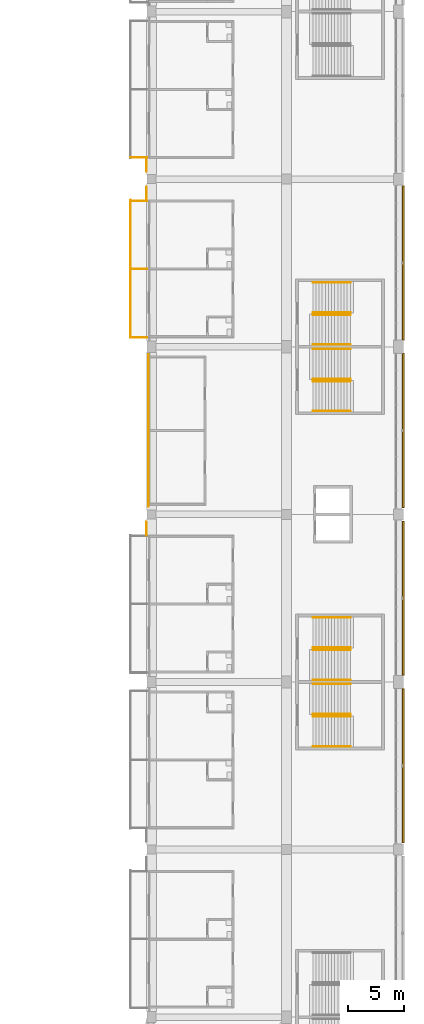
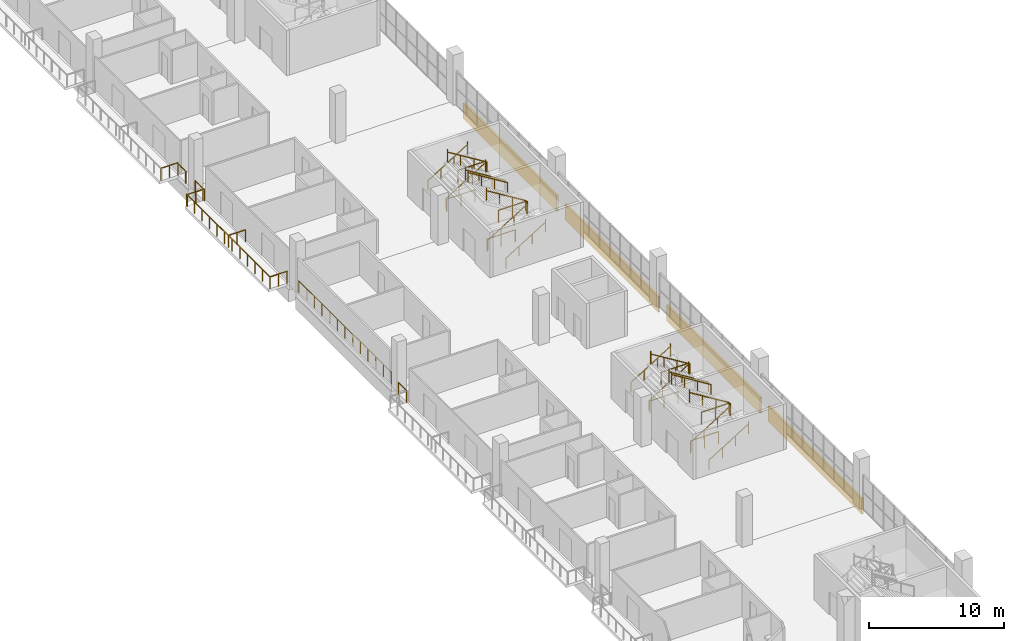
# One storey, part 188 of 199: 33 railings, 4 coverings.
"""IFC4 building model written with IfcOpenShell, lengths in metres."""

from ifc_helpers import new_model, si_unit, direction, frame, origin, origin_2d, place, context, subcontext, project, spatial, polyline, circle, outline, extrude, material, layer, layer_set, type_object, element, save


model = new_model("IFC4")

# Units and contexts
model_context = context("Model", 3, precision=1e-05, world=origin(), true_north=direction((0.0, 1.0)))
body_context = subcontext(model_context, "Body", "Model", "MODEL_VIEW")
ifc_project = project(units=[si_unit("LENGTHUNIT", "METRE"), si_unit("AREAUNIT", "SQUARE_METRE"), si_unit("VOLUMEUNIT", "CUBIC_METRE"), si_unit("PLANEANGLEUNIT", "RADIAN"), si_unit("MASSUNIT", "GRAM", prefix="KILO")], contexts=[model_context])

# Site, building, storey
site_placement = place(None, origin())
site = spatial("IfcSite", under=ifc_project, at=site_placement, CompositionType="ELEMENT")
building_placement = place(site_placement, origin())
building = spatial("IfcBuilding", under=site, at=building_placement, Name="Ogive Plaza Stadium", CompositionType="ELEMENT")
storey_placement = place(building_placement, frame((0.0, 0.0, 9.0)))
storey = spatial("IfcBuildingStorey", under=building, at=storey_placement, Name="L02", CompositionType="ELEMENT", Elevation=9.0)

# Railings
ifc_material_1 = material(Name="Steel ASTM A572 Grade 50", Category="steel")
railing_type_1 = type_object("IfcRailingType", Name="Guard 1100", PredefinedType="GUARDRAIL", material=ifc_material_1)
for number, where, name in (
    (1, (76.35009765625, 4.52490234375, 0.0), "Stair well guard ST04A L02"),
    (2, (77.31005859375, 4.52490234375, 2.25), "Stair well guard ST04A L02"),
    (3, (76.35009765625, 10.47509765625, 0.0), "Stair well guard ST04B L02"),
    (4, (77.31005859375, 10.47509765625, 2.25), "Stair well guard ST04B L02"),
    (5, (76.35009765625, -25.47509765625, 0.0), "Stair well guard ST06A L02"),
    (6, (77.31005859375, -25.47509765625, 2.25), "Stair well guard ST06A L02"),
    (7, (76.35009765625, -19.52490234375, 0.0), "Stair well guard ST06B L02"),
    (8, (77.31005859375, -19.52490234375, 2.25), "Stair well guard ST06B L02"),
):
    element("IfcRailing", number, at=place(storey_placement, frame(where)), inside=storey, type_object=railing_type_1, Name=name, PredefinedType="GUARDRAIL", context=body_context, shape_type="SweptSolid", body=[
        extrude(circle(Radius=0.02392578125, at=origin_2d()), frame((0.0, 0.0, 1.076171875), z_axis=(1.0, 0.0, 0.0), x_axis=(0.0, 1.0, 0.0)), (0.0, 0.0, 1.0), 2.39990234375),
        extrude(circle(Radius=0.02099609375, at=origin_2d()), origin(), (0.0, 0.0, 1.0), 1.052001953125),
        extrude(circle(Radius=0.02099609375, at=origin_2d()), frame((1.199951171875, 0.0, 0.0)), (0.0, 0.0, 1.0), 1.052001953125),
        extrude(circle(Radius=0.02099609375, at=origin_2d()), frame((2.39990234375, 0.0, 0.0)), (0.0, 0.0, 1.0), 1.052001953125),
    ])
railing_1_placement = place(storey_placement, frame((61.64990234375, 6.800048828125, 0.0)))
element("IfcRailing", 9, at=railing_1_placement, inside=storey, type_object=railing_type_1, Name="Guard L02 B04", PredefinedType="GUARDRAIL", context=body_context, shape_type="SweptSolid", body=[
    extrude(circle(Radius=0.02392578125, at=origin_2d()), frame((0.0, 0.0, 1.076171875), z_axis=(0.0, -1.0, 0.0), x_axis=(1.0, 0.0, 0.0)), (0.0, 0.0, 1.0), 13.60009765625),
    extrude(circle(Radius=0.02099609375, at=origin_2d()), origin(), (0.0, 0.0, 1.0), 1.052001953125),
    extrude(circle(Radius=0.02099609375, at=origin_2d()), frame((0.0, -1.13330078125, 0.0)), (0.0, 0.0, 1.0), 1.052001953125),
    extrude(circle(Radius=0.02099609375, at=origin_2d()), frame((0.0, -2.2666015625, 0.0)), (0.0, 0.0, 1.0), 1.052001953125),
    extrude(circle(Radius=0.02099609375, at=origin_2d()), frame((0.0, -3.39990234375, 0.0)), (0.0, 0.0, 1.0), 1.052001953125),
    extrude(circle(Radius=0.02099609375, at=origin_2d()), frame((0.0, -4.533447265625, 0.0)), (0.0, 0.0, 1.0), 1.052001953125),
    extrude(circle(Radius=0.02099609375, at=origin_2d()), frame((0.0, -5.666748046875, 0.0)), (0.0, 0.0, 1.0), 1.052001953125),
    extrude(circle(Radius=0.02099609375, at=origin_2d()), frame((0.0, -6.800048828125, 0.0)), (0.0, 0.0, 1.0), 1.052001953125),
    extrude(circle(Radius=0.02099609375, at=origin_2d()), frame((0.0, -7.933349609375, 0.0)), (0.0, 0.0, 1.0), 1.052001953125),
    extrude(circle(Radius=0.02099609375, at=origin_2d()), frame((0.0, -9.066650390625, 0.0)), (0.0, 0.0, 1.0), 1.052001953125),
    extrude(circle(Radius=0.02099609375, at=origin_2d()), frame((0.0, -10.2001953125, 0.0)), (0.0, 0.0, 1.0), 1.052001953125),
    extrude(circle(Radius=0.02099609375, at=origin_2d()), frame((0.0, -11.33349609375, 0.0)), (0.0, 0.0, 1.0), 1.052001953125),
    extrude(circle(Radius=0.02099609375, at=origin_2d()), frame((0.0, -12.466796875, 0.0)), (0.0, 0.0, 1.0), 1.052001953125),
    extrude(circle(Radius=0.02099609375, at=origin_2d()), frame((0.0, -13.60009765625, 0.0)), (0.0, 0.0, 1.0), 1.052001953125),
])
railing_2_placement = place(storey_placement, frame((61.449951171875, 24.375, 0.0)))
element("IfcRailing", 10, at=railing_2_placement, inside=storey, type_object=railing_type_1, Name="Floor edge guard B02", PredefinedType="GUARDRAIL", context=body_context, shape_type="SweptSolid", body=[
    extrude(circle(Radius=0.02392578125, at=origin_2d()), frame((0.0, 0.0, 1.076171875), z_axis=(0.0, -1.0, 0.0), x_axis=(1.0, 0.0, 0.0)), (0.0, 0.0, 1.0), 1.175048828125),
    extrude(circle(Radius=0.02099609375, at=origin_2d()), origin(), (0.0, 0.0, 1.0), 1.052001953125),
    extrude(circle(Radius=0.02099609375, at=origin_2d()), frame((0.0, -1.175048828125, 0.0)), (0.0, 0.0, 1.0), 1.052001953125),
])
railing_3_placement = place(storey_placement, frame((60.050048828125, 24.449951171875, 0.0)))
element("IfcRailing", 11, at=railing_3_placement, inside=storey, type_object=railing_type_1, Name="Terrace screen B02", PredefinedType="GUARDRAIL", context=body_context, shape_type="SweptSolid", body=[
    extrude(circle(Radius=0.02392578125, at=origin_2d()), frame((0.0, 0.0, 1.076171875), z_axis=(1.0, 0.0, 0.0), x_axis=(0.0, 1.0, 0.0)), (0.0, 0.0, 1.0), 1.449951171875),
    extrude(circle(Radius=0.02099609375, at=origin_2d()), origin(), (0.0, 0.0, 1.0), 1.052001953125),
    extrude(circle(Radius=0.02099609375, at=origin_2d()), frame((0.72509765625, 0.0, 0.0)), (0.0, 0.0, 1.0), 1.052001953125),
    extrude(circle(Radius=0.02099609375, at=origin_2d()), frame((1.449951171875, 0.0, 0.0)), (0.0, 0.0, 1.0), 1.052001953125),
])
railing_4_placement = place(storey_placement, frame((60.050048828125, 8.324951171875, 0.0)))
element("IfcRailing", 12, at=railing_4_placement, inside=storey, type_object=railing_type_1, Name="Terrace guard B03", PredefinedType="GUARDRAIL", context=body_context, shape_type="SweptSolid", body=[
    extrude(circle(Radius=0.02392578125, at=origin_2d()), frame((0.0, 0.0, 1.076171875), z_axis=(0.0, 1.0, 0.0), x_axis=(-1.0, 0.0, 0.0)), (0.0, 0.0, 1.0), 12.300048828125),
    extrude(circle(Radius=0.02099609375, at=origin_2d()), origin(), (0.0, 0.0, 1.0), 1.052001953125),
    extrude(circle(Radius=0.02099609375, at=origin_2d()), frame((0.0, 1.1181640625, 0.0)), (0.0, 0.0, 1.0), 1.052001953125),
    extrude(circle(Radius=0.02099609375, at=origin_2d()), frame((0.0, 2.236328125, 0.0)), (0.0, 0.0, 1.0), 1.052001953125),
    extrude(circle(Radius=0.02099609375, at=origin_2d()), frame((0.0, 3.3544921875, 0.0)), (0.0, 0.0, 1.0), 1.052001953125),
    extrude(circle(Radius=0.02099609375, at=origin_2d()), frame((0.0, 4.47265625, 0.0)), (0.0, 0.0, 1.0), 1.052001953125),
    extrude(circle(Radius=0.02099609375, at=origin_2d()), frame((0.0, 5.5908203125, 0.0)), (0.0, 0.0, 1.0), 1.052001953125),
    extrude(circle(Radius=0.02099609375, at=origin_2d()), frame((0.0, 6.709228515625, 0.0)), (0.0, 0.0, 1.0), 1.052001953125),
    extrude(circle(Radius=0.02099609375, at=origin_2d()), frame((0.0, 7.827392578125, 0.0)), (0.0, 0.0, 1.0), 1.052001953125),
    extrude(circle(Radius=0.02099609375, at=origin_2d()), frame((0.0, 8.945556640625, 0.0)), (0.0, 0.0, 1.0), 1.052001953125),
    extrude(circle(Radius=0.02099609375, at=origin_2d()), frame((0.0, 10.063720703125, 0.0)), (0.0, 0.0, 1.0), 1.052001953125),
    extrude(circle(Radius=0.02099609375, at=origin_2d()), frame((0.0, 11.181884765625, 0.0)), (0.0, 0.0, 1.0), 1.052001953125),
    extrude(circle(Radius=0.02099609375, at=origin_2d()), frame((0.0, 12.300048828125, 0.0)), (0.0, 0.0, 1.0), 1.052001953125),
])
railing_5_placement = place(storey_placement, frame((61.449951171875, 20.625, 0.0)))
element("IfcRailing", 13, at=railing_5_placement, inside=storey, type_object=railing_type_1, Name="Floor edge guard B03", PredefinedType="GUARDRAIL", context=body_context, shape_type="SweptSolid", body=[
    extrude(circle(Radius=0.02392578125, at=origin_2d()), frame((0.0, 0.0, 1.076171875), z_axis=(0.0, 1.0, 0.0), x_axis=(-1.0, 0.0, 0.0)), (0.0, 0.0, 1.0), 1.175048828125),
    extrude(circle(Radius=0.02099609375, at=origin_2d()), origin(), (0.0, 0.0, 1.0), 1.052001953125),
    extrude(circle(Radius=0.02099609375, at=origin_2d()), frame((0.0, 1.175048828125, 0.0)), (0.0, 0.0, 1.0), 1.052001953125),
])
for number, where, name in (
    (14, (60.050048828125, 8.324951171875, 0.0), "Terrace screen B03"),
    (15, (60.050048828125, 14.47509765625, 0.0), "Terrace screen B03"),
    (16, (60.050048828125, 20.550048828125, 0.0), "Terrace screen B03"),
):
    element("IfcRailing", number, at=place(storey_placement, frame(where)), inside=storey, type_object=railing_type_1, Name=name, PredefinedType="GUARDRAIL", context=body_context, shape_type="SweptSolid", body=[
        extrude(circle(Radius=0.02392578125, at=origin_2d()), frame((0.0, 0.0, 1.076171875), z_axis=(1.0, 0.0, 0.0), x_axis=(0.0, 1.0, 0.0)), (0.0, 0.0, 1.0), 1.449951171875),
        extrude(circle(Radius=0.02099609375, at=origin_2d()), origin(), (0.0, 0.0, 1.0), 1.052001953125),
        extrude(circle(Radius=0.02099609375, at=origin_2d()), frame((0.72509765625, 0.0, 0.0)), (0.0, 0.0, 1.0), 1.052001953125),
        extrude(circle(Radius=0.02099609375, at=origin_2d()), frame((1.449951171875, 0.0, 0.0)), (0.0, 0.0, 1.0), 1.052001953125),
    ])
railing_6_placement = place(storey_placement, frame((61.449951171875, -9.375, 0.0)))
element("IfcRailing", 17, at=railing_6_placement, inside=storey, type_object=railing_type_1, Name="Floor edge guard B05", PredefinedType="GUARDRAIL", context=body_context, shape_type="SweptSolid", body=[
    extrude(circle(Radius=0.02392578125, at=origin_2d()), frame((0.0, 0.0, 1.076171875), z_axis=(0.0, 1.0, 0.0), x_axis=(-1.0, 0.0, 0.0)), (0.0, 0.0, 1.0), 1.175048828125),
    extrude(circle(Radius=0.02099609375, at=origin_2d()), origin(), (0.0, 0.0, 1.0), 1.052001953125),
    extrude(circle(Radius=0.02099609375, at=origin_2d()), frame((0.0, 1.175048828125, 0.0)), (0.0, 0.0, 1.0), 1.052001953125),
])
ifc_material_2 = material(Name="Steel ASTM A572 Grade 50", Category="steel")
railing_type_2 = type_object("IfcRailingType", Name="Handrail 900", PredefinedType="HANDRAIL", material=ifc_material_2)
for number, where, name in (
    (18, (76.35009765625, 1.735107421875, 0.173095703125), "Handrail ST04A L02"),
    (19, (76.35009765625, 4.4150390625, 0.173095703125), "Handrail ST04A L02"),
):
    element("IfcRailing", number, at=place(storey_placement, frame(where)), inside=storey, type_object=railing_type_2, Name=name, PredefinedType="HANDRAIL", context=body_context, shape_type="SweptSolid", body=[
        extrude(circle(Radius=0.02392578125, at=origin_2d()), frame((0.0, 0.0, 0.8759765625), z_axis=(0.850606129759, 0.0, 0.525803396734), x_axis=(0.0, 1.0, 0.0)), (0.0, 0.0, 1.0), 3.949951171875),
        extrude(circle(Radius=0.02099609375, at=origin_2d()), origin(), (0.0, 0.0, 1.0), 0.851806640625),
        extrude(circle(Radius=0.02099609375, at=origin_2d()), frame((1.119873046875, 0.0, 0.6923828125)), (0.0, 0.0, 1.0), 0.851806640625),
        extrude(circle(Radius=0.02099609375, at=origin_2d()), frame((2.239990234375, 0.0, 1.384521484375)), (0.0, 0.0, 1.0), 0.851806640625),
        extrude(circle(Radius=0.02099609375, at=origin_2d()), frame((3.35986328125, 0.0, 2.076904296875)), (0.0, 0.0, 1.0), 1.10009765625),
    ])
for number, where, name in (
    (20, (79.7099609375, 4.635009765625, 2.423095703125), "Handrail ST04A L02"),
    (21, (79.7099609375, 7.31494140625, 2.423095703125), "Handrail ST04A L02"),
):
    element("IfcRailing", number, at=place(storey_placement, frame(where)), inside=storey, type_object=railing_type_2, Name=name, PredefinedType="HANDRAIL", context=body_context, shape_type="SweptSolid", body=[
        extrude(circle(Radius=0.02392578125, at=origin_2d()), frame((0.0, 0.0, 0.8759765625), z_axis=(-0.850606129759, 0.0, 0.525803396734), x_axis=(0.0, -1.0, 0.0)), (0.0, 0.0, 1.0), 3.949951171875),
        extrude(circle(Radius=0.02099609375, at=origin_2d()), origin(), (0.0, 0.0, 1.0), 0.851806640625),
        extrude(circle(Radius=0.02099609375, at=origin_2d()), frame((-1.119873046875, 0.0, 0.6923828125)), (0.0, 0.0, 1.0), 0.851806640625),
        extrude(circle(Radius=0.02099609375, at=origin_2d()), frame((-2.239990234375, 0.0, 1.384521484375)), (0.0, 0.0, 1.0), 0.851806640625),
        extrude(circle(Radius=0.02099609375, at=origin_2d()), frame((-3.35986328125, 0.0, 2.076904296875)), (0.0, 0.0, 1.0), 1.10009765625),
    ])
for number, where, name in (
    (22, (76.35009765625, 10.5849609375, 0.173095703125), "Handrail ST04B L02"),
    (23, (76.35009765625, 13.264892578125, 0.173095703125), "Handrail ST04B L02"),
):
    element("IfcRailing", number, at=place(storey_placement, frame(where)), inside=storey, type_object=railing_type_2, Name=name, PredefinedType="HANDRAIL", context=body_context, shape_type="SweptSolid", body=[
        extrude(circle(Radius=0.02392578125, at=origin_2d()), frame((0.0, 0.0, 0.8759765625), z_axis=(0.850606129759, 0.0, 0.525803396734), x_axis=(0.0, 1.0, 0.0)), (0.0, 0.0, 1.0), 3.949951171875),
        extrude(circle(Radius=0.02099609375, at=origin_2d()), origin(), (0.0, 0.0, 1.0), 0.851806640625),
        extrude(circle(Radius=0.02099609375, at=origin_2d()), frame((1.119873046875, 0.0, 0.6923828125)), (0.0, 0.0, 1.0), 0.851806640625),
        extrude(circle(Radius=0.02099609375, at=origin_2d()), frame((2.239990234375, 0.0, 1.384521484375)), (0.0, 0.0, 1.0), 0.851806640625),
        extrude(circle(Radius=0.02099609375, at=origin_2d()), frame((3.35986328125, 0.0, 2.076904296875)), (0.0, 0.0, 1.0), 1.10009765625),
    ])
for number, where, name in (
    (24, (79.7099609375, 7.68505859375, 2.423095703125), "Handrail ST04B L02"),
    (25, (79.7099609375, 10.364990234375, 2.423095703125), "Handrail ST04B L02"),
):
    element("IfcRailing", number, at=place(storey_placement, frame(where)), inside=storey, type_object=railing_type_2, Name=name, PredefinedType="HANDRAIL", context=body_context, shape_type="SweptSolid", body=[
        extrude(circle(Radius=0.02392578125, at=origin_2d()), frame((0.0, 0.0, 0.8759765625), z_axis=(-0.850606129759, 0.0, 0.525803396734), x_axis=(0.0, -1.0, 0.0)), (0.0, 0.0, 1.0), 3.949951171875),
        extrude(circle(Radius=0.02099609375, at=origin_2d()), origin(), (0.0, 0.0, 1.0), 0.851806640625),
        extrude(circle(Radius=0.02099609375, at=origin_2d()), frame((-1.119873046875, 0.0, 0.6923828125)), (0.0, 0.0, 1.0), 0.851806640625),
        extrude(circle(Radius=0.02099609375, at=origin_2d()), frame((-2.239990234375, 0.0, 1.384521484375)), (0.0, 0.0, 1.0), 0.851806640625),
        extrude(circle(Radius=0.02099609375, at=origin_2d()), frame((-3.35986328125, 0.0, 2.076904296875)), (0.0, 0.0, 1.0), 1.10009765625),
    ])
for number, where, name in (
    (26, (76.35009765625, -28.264892578125, 0.173095703125), "Handrail ST06A L02"),
    (27, (76.35009765625, -25.5849609375, 0.173095703125), "Handrail ST06A L02"),
):
    element("IfcRailing", number, at=place(storey_placement, frame(where)), inside=storey, type_object=railing_type_2, Name=name, PredefinedType="HANDRAIL", context=body_context, shape_type="SweptSolid", body=[
        extrude(circle(Radius=0.02392578125, at=origin_2d()), frame((0.0, 0.0, 0.8759765625), z_axis=(0.850606129759, 0.0, 0.525803396734), x_axis=(0.0, 1.0, 0.0)), (0.0, 0.0, 1.0), 3.949951171875),
        extrude(circle(Radius=0.02099609375, at=origin_2d()), origin(), (0.0, 0.0, 1.0), 0.851806640625),
        extrude(circle(Radius=0.02099609375, at=origin_2d()), frame((1.119873046875, 0.0, 0.6923828125)), (0.0, 0.0, 1.0), 0.851806640625),
        extrude(circle(Radius=0.02099609375, at=origin_2d()), frame((2.239990234375, 0.0, 1.384521484375)), (0.0, 0.0, 1.0), 0.851806640625),
        extrude(circle(Radius=0.02099609375, at=origin_2d()), frame((3.35986328125, 0.0, 2.076904296875)), (0.0, 0.0, 1.0), 1.10009765625),
    ])
for number, where, name in (
    (28, (79.7099609375, -25.364990234375, 2.423095703125), "Handrail ST06A L02"),
    (29, (79.7099609375, -22.68505859375, 2.423095703125), "Handrail ST06A L02"),
):
    element("IfcRailing", number, at=place(storey_placement, frame(where)), inside=storey, type_object=railing_type_2, Name=name, PredefinedType="HANDRAIL", context=body_context, shape_type="SweptSolid", body=[
        extrude(circle(Radius=0.02392578125, at=origin_2d()), frame((0.0, 0.0, 0.8759765625), z_axis=(-0.850606129759, 0.0, 0.525803396734), x_axis=(0.0, -1.0, 0.0)), (0.0, 0.0, 1.0), 3.949951171875),
        extrude(circle(Radius=0.02099609375, at=origin_2d()), origin(), (0.0, 0.0, 1.0), 0.851806640625),
        extrude(circle(Radius=0.02099609375, at=origin_2d()), frame((-1.119873046875, 0.0, 0.6923828125)), (0.0, 0.0, 1.0), 0.851806640625),
        extrude(circle(Radius=0.02099609375, at=origin_2d()), frame((-2.239990234375, 0.0, 1.384521484375)), (0.0, 0.0, 1.0), 0.851806640625),
        extrude(circle(Radius=0.02099609375, at=origin_2d()), frame((-3.35986328125, 0.0, 2.076904296875)), (0.0, 0.0, 1.0), 1.10009765625),
    ])
for number, where, name in (
    (30, (76.35009765625, -19.4150390625, 0.173095703125), "Handrail ST06B L02"),
    (31, (76.35009765625, -16.735107421875, 0.173095703125), "Handrail ST06B L02"),
):
    element("IfcRailing", number, at=place(storey_placement, frame(where)), inside=storey, type_object=railing_type_2, Name=name, PredefinedType="HANDRAIL", context=body_context, shape_type="SweptSolid", body=[
        extrude(circle(Radius=0.02392578125, at=origin_2d()), frame((0.0, 0.0, 0.8759765625), z_axis=(0.850606129759, 0.0, 0.525803396734), x_axis=(0.0, 1.0, 0.0)), (0.0, 0.0, 1.0), 3.949951171875),
        extrude(circle(Radius=0.02099609375, at=origin_2d()), origin(), (0.0, 0.0, 1.0), 0.851806640625),
        extrude(circle(Radius=0.02099609375, at=origin_2d()), frame((1.119873046875, 0.0, 0.6923828125)), (0.0, 0.0, 1.0), 0.851806640625),
        extrude(circle(Radius=0.02099609375, at=origin_2d()), frame((2.239990234375, 0.0, 1.384521484375)), (0.0, 0.0, 1.0), 0.851806640625),
        extrude(circle(Radius=0.02099609375, at=origin_2d()), frame((3.35986328125, 0.0, 2.076904296875)), (0.0, 0.0, 1.0), 1.10009765625),
    ])
for number, where, name in (
    (32, (79.7099609375, -22.31494140625, 2.423095703125), "Handrail ST06B L02"),
    (33, (79.7099609375, -19.635009765625, 2.423095703125), "Handrail ST06B L02"),
):
    element("IfcRailing", number, at=place(storey_placement, frame(where)), inside=storey, type_object=railing_type_2, Name=name, PredefinedType="HANDRAIL", context=body_context, shape_type="SweptSolid", body=[
        extrude(circle(Radius=0.02392578125, at=origin_2d()), frame((0.0, 0.0, 0.8759765625), z_axis=(-0.850606129759, 0.0, 0.525803396734), x_axis=(0.0, -1.0, 0.0)), (0.0, 0.0, 1.0), 3.949951171875),
        extrude(circle(Radius=0.02099609375, at=origin_2d()), origin(), (0.0, 0.0, 1.0), 0.851806640625),
        extrude(circle(Radius=0.02099609375, at=origin_2d()), frame((-1.119873046875, 0.0, 0.6923828125)), (0.0, 0.0, 1.0), 0.851806640625),
        extrude(circle(Radius=0.02099609375, at=origin_2d()), frame((-2.239990234375, 0.0, 1.384521484375)), (0.0, 0.0, 1.0), 0.851806640625),
        extrude(circle(Radius=0.02099609375, at=origin_2d()), frame((-3.35986328125, 0.0, 2.076904296875)), (0.0, 0.0, 1.0), 1.10009765625),
    ])

# Coverings
ifc_material_3 = material(Name="Cast stone (reconstituted limestone)", Category="masonry")
ifc_layer = layer(ifc_material_3, 0.159912109375)
ifc_layer_set = layer_set([ifc_layer], Name="Precast spandrel cladding 160")
covering_type = type_object("IfcCoveringType", Name="Precast spandrel cladding 160", PredefinedType="CLADDING", material=ifc_layer_set)
covering_1_placement = place(storey_placement, frame((0.0, 0.0, -1.409912109375)))
element("IfcCovering", 34, at=covering_1_placement, inside=storey, type_object=covering_type, Name="SPANDREL CLADDING B03 L02", PredefinedType="CLADDING", context=body_context, shape_type="SweptSolid", body=[
    extrude(outline(polyline([(84.35009765625, 21.89990234375), (84.35009765625, 8.10009765625), (84.510009765625, 8.10009765625), (84.510009765625, 21.89990234375), (84.35009765625, 21.89990234375)])), origin(), (0.0, 0.0, 1.0), 1.409912109375),
])
covering_2_placement = place(storey_placement, frame((0.0, 0.0, -1.409912109375)))
element("IfcCovering", 35, at=covering_2_placement, inside=storey, type_object=covering_type, Name="SPANDREL CLADDING B04 L02", PredefinedType="CLADDING", context=body_context, shape_type="SweptSolid", body=[
    extrude(outline(polyline([(84.35009765625, 6.89990234375), (84.35009765625, -6.89990234375), (84.510009765625, -6.89990234375), (84.510009765625, 6.89990234375), (84.35009765625, 6.89990234375)])), origin(), (0.0, 0.0, 1.0), 1.409912109375),
])
covering_3_placement = place(storey_placement, frame((0.0, 0.0, -1.409912109375)))
element("IfcCovering", 36, at=covering_3_placement, inside=storey, type_object=covering_type, Name="SPANDREL CLADDING B05 L02", PredefinedType="CLADDING", context=body_context, shape_type="SweptSolid", body=[
    extrude(outline(polyline([(84.35009765625, -8.10009765625), (84.35009765625, -21.89990234375), (84.510009765625, -21.89990234375), (84.510009765625, -8.10009765625), (84.35009765625, -8.10009765625)])), origin(), (0.0, 0.0, 1.0), 1.409912109375),
])
covering_4_placement = place(storey_placement, frame((0.0, 0.0, -1.409912109375)))
element("IfcCovering", 37, at=covering_4_placement, inside=storey, type_object=covering_type, Name="SPANDREL CLADDING B06 L02", PredefinedType="CLADDING", context=body_context, shape_type="SweptSolid", body=[
    extrude(outline(polyline([(84.35009765625, -23.10009765625), (84.35009765625, -36.89990234375), (84.510009765625, -36.89990234375), (84.510009765625, -23.10009765625), (84.35009765625, -23.10009765625)])), origin(), (0.0, 0.0, 1.0), 1.409912109375),
])

save(model, "model.ifc")
